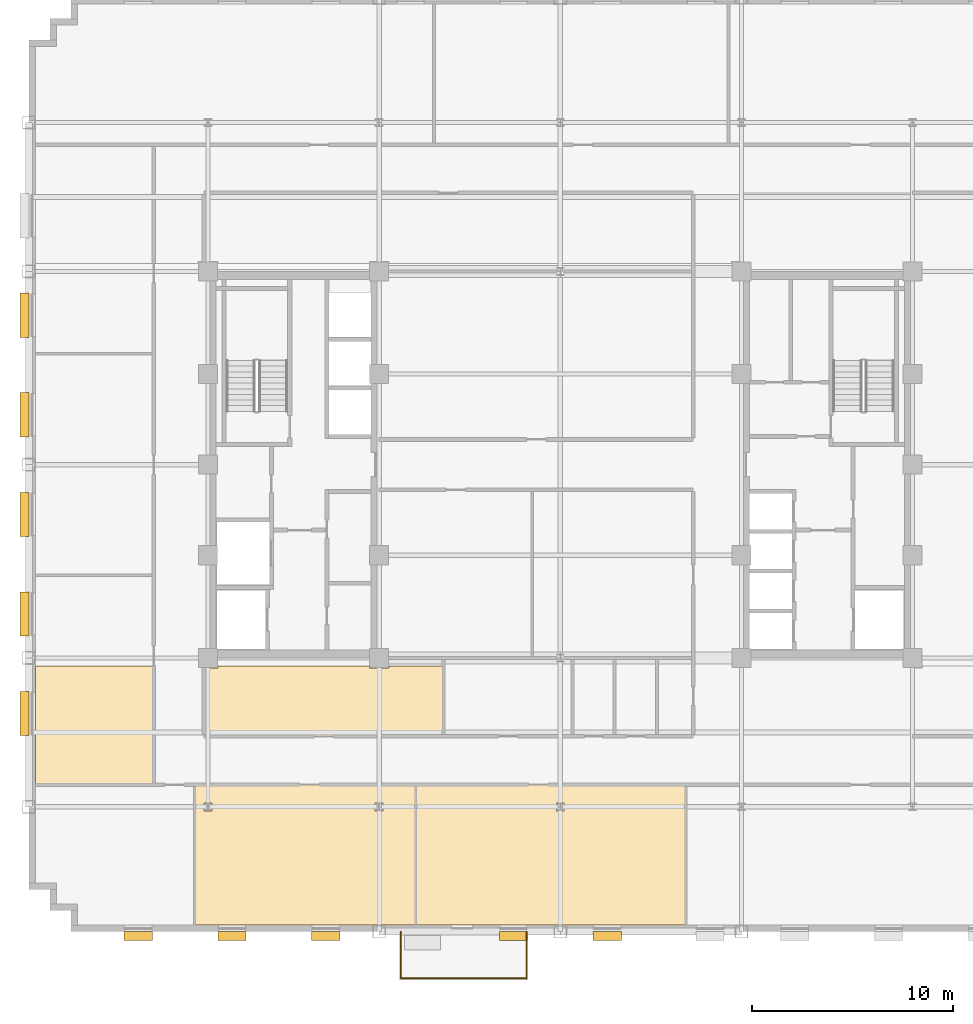
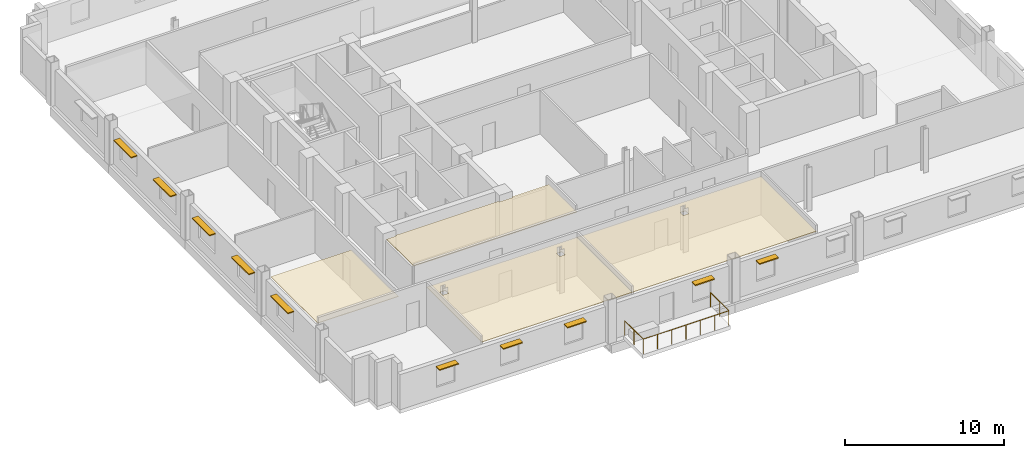
# One storey, part 10 of 13: 10 shading devices, 4 coverings, 1 railing.
"""IFC4 building model written with IfcOpenShell, lengths in metres."""

from ifc_helpers import new_model, si_unit, direction, frame, origin, origin_2d, place, context, subcontext, project, spatial, polyline, rectangle, circle, outline, extrude, source, transform, mapped, material, layer, layer_set, type_object, type_shapes, element, save


model = new_model("IFC4")

# Units and contexts
model_context = context("Model", 3, precision=1e-05, world=origin(), true_north=direction((0.0, 1.0)))
body_context = subcontext(model_context, "Body", "Model", "MODEL_VIEW")
ifc_project = project(units=[si_unit("LENGTHUNIT", "METRE"), si_unit("AREAUNIT", "SQUARE_METRE"), si_unit("VOLUMEUNIT", "CUBIC_METRE"), si_unit("PLANEANGLEUNIT", "RADIAN"), si_unit("MASSUNIT", "GRAM", prefix="KILO")], contexts=[model_context])

# Site, building, storey
site_placement = place(None, origin())
site = spatial("IfcSite", under=ifc_project, at=site_placement, CompositionType="ELEMENT")
building_placement = place(site_placement, origin())
building = spatial("IfcBuilding", under=site, at=building_placement, Name="Nuvemarco Arch Tower", CompositionType="ELEMENT")
storey_placement = place(building_placement, frame((0.0, 0.0, 156.699951171875)))
storey = spatial("IfcBuildingStorey", under=building, at=storey_placement, Name="L41", CompositionType="ELEMENT", Elevation=156.699951171875)

# Coverings
ifc_material_1 = material(Name="Mineral acoustic ceiling tile")
ifc_layer = layer(ifc_material_1, 0.0400390625, Name="COV-ACOUSTIC-CLG")
ifc_layer_set = layer_set([ifc_layer], Name="Mineral acoustic ceiling tile")
covering_type = type_object("IfcCoveringType", Name="COV-ACOUSTIC-CLG", PredefinedType="CEILING", material=ifc_layer_set)
covering_1_placement = place(storey_placement, frame((0.0, 0.0, 2.85009765625)))
element("IfcCovering", 1, at=covering_1_placement, inside=storey, type_object=covering_type, Name="L41 suspended acoustic ceiling 5", PredefinedType="CEILING", context=body_context, shape_type="SweptSolid", body=[
    extrude(outline(polyline([(0.340087890625, -22.8798828125), (0.340087890625, -22.860107421875), (-0.340087890625, -22.860107421875), (-0.340087890625, -22.8798828125), (-7.179931640625, -22.8798828125), (-7.179931640625, -15.89990234375), (6.22998046875, -15.89990234375), (6.22998046875, -22.8798828125), (0.340087890625, -22.8798828125)]), holes=[polyline([(0.195068359375, -17.195068359375), (0.195068359375, -16.804931640625), (-0.195068359375, -16.804931640625), (-0.195068359375, -17.195068359375), (0.195068359375, -17.195068359375)])]), origin(), (0.0, 0.0, 1.0), 0.0400390625),
])
covering_2_placement = place(storey_placement, frame((0.0, 0.0, 2.85009765625)))
element("IfcCovering", 2, at=covering_2_placement, inside=storey, type_object=covering_type, Name="L41 suspended acoustic ceiling 6", PredefinedType="CEILING", context=body_context, shape_type="SweptSolid", body=[
    extrude(outline(polyline([(-7.179931640625, -22.8798828125), (-8.659912109375, -22.8798828125), (-8.659912109375, -22.860107421875), (-9.340087890625, -22.860107421875), (-9.340087890625, -22.8798828125), (-18.14990234375, -22.8798828125), (-18.14990234375, -15.89990234375), (-17.699951171875, -15.89990234375), (-7.179931640625, -15.89990234375), (-7.179931640625, -22.8798828125)]), holes=[polyline([(-17.304931640625, -16.804931640625), (-17.695068359375, -16.804931640625), (-17.695068359375, -17.195068359375), (-17.304931640625, -17.195068359375), (-17.304931640625, -16.804931640625)]), polyline([(-8.804931640625, -17.195068359375), (-8.804931640625, -16.804931640625), (-9.195068359375, -16.804931640625), (-9.195068359375, -17.195068359375), (-8.804931640625, -17.195068359375)])]), origin(), (0.0, 0.0, 1.0), 0.0400390625),
])
covering_3_placement = place(storey_placement, frame((0.0, 0.0, 2.85009765625)))
element("IfcCovering", 3, at=covering_3_placement, inside=storey, type_object=covering_type, Name="L41 suspended acoustic ceiling 7", PredefinedType="CEILING", context=body_context, shape_type="SweptSolid", body=[
    extrude(outline(polyline([(-20.199951171875, -13.5), (-20.199951171875, -15.89990234375), (-26.080078125, -15.89990234375), (-26.080078125, -10.0), (-20.199951171875, -10.0), (-20.199951171875, -13.5)])), origin(), (0.0, 0.0, 1.0), 0.0400390625),
])
covering_4_placement = place(storey_placement, frame((0.0, 0.0, 2.85009765625)))
element("IfcCovering", 4, at=covering_4_placement, inside=storey, type_object=covering_type, Name="L41 suspended acoustic ceiling 9", PredefinedType="CEILING", context=body_context, shape_type="SweptSolid", body=[
    extrude(outline(polyline([(-9.489990234375, -10.090087890625), (-8.510009765625, -10.090087890625), (-8.510009765625, -10.0), (-5.800048828125, -10.0), (-5.800048828125, -13.5), (-17.699951171875, -13.5), (-17.699951171875, -10.090087890625), (-17.010009765625, -10.090087890625), (-17.010009765625, -10.0), (-9.489990234375, -10.0), (-9.489990234375, -10.090087890625)])), origin(), (0.0, 0.0, 1.0), 0.0400390625),
])

# Railing
ifc_material_2 = material(Name="Dark anodised balustrade steel S355", Category="steel")
railing_type = type_object("IfcRailingType", Name="RL-TERR-GUARD", PredefinedType="BALUSTRADE", material=ifc_material_2)
railing_placement = place(storey_placement, frame((-7.919921875, -23.199951171875, 0.0)))
element("IfcRailing", 5, at=railing_placement, inside=storey, type_object=railing_type, Name="L41 spiral terrace perimeter balustrade guard", PredefinedType="BALUSTRADE", context=body_context, shape_type="SweptSolid", body=[
    extrude(circle(Radius=0.02392578125, at=origin_2d()), frame((0.0, 0.0, 1.1259765625), z_axis=(0.0, -1.0, 0.0), x_axis=(1.0, 0.0, 0.0)), (0.0, 0.0, 1.0), 2.320068359375),
    extrude(circle(Radius=0.02392578125, at=origin_2d()), frame((0.0, -2.320068359375, 1.1259765625), z_axis=(1.0, 0.0, 0.0), x_axis=(0.0, 1.0, 0.0)), (0.0, 0.0, 1.0), 6.239990234375),
    extrude(circle(Radius=0.02392578125, at=origin_2d()), frame((6.239990234375, -2.320068359375, 1.1259765625), z_axis=(0.0, 1.0, 0.0), x_axis=(-1.0, 0.0, 0.0)), (0.0, 0.0, 1.0), 2.320068359375),
    extrude(circle(Radius=0.02099609375, at=origin_2d()), origin(), (0.0, 0.0, 1.0), 1.101806640625),
    extrude(circle(Radius=0.02099609375, at=origin_2d()), frame((0.0, -1.16015625, 0.0)), (0.0, 0.0, 1.0), 1.101806640625),
    extrude(circle(Radius=0.02099609375, at=origin_2d()), frame((0.0, -2.320068359375, 0.0)), (0.0, 0.0, 1.0), 1.101806640625),
    extrude(circle(Radius=0.02099609375, at=origin_2d()), frame((1.0400390625, -2.320068359375, 0.0)), (0.0, 0.0, 1.0), 1.101806640625),
    extrude(circle(Radius=0.02099609375, at=origin_2d()), frame((2.080078125, -2.320068359375, 0.0)), (0.0, 0.0, 1.0), 1.101806640625),
    extrude(circle(Radius=0.02099609375, at=origin_2d()), frame((3.1201171875, -2.320068359375, 0.0)), (0.0, 0.0, 1.0), 1.101806640625),
    extrude(circle(Radius=0.02099609375, at=origin_2d()), frame((4.159912109375, -2.320068359375, 0.0)), (0.0, 0.0, 1.0), 1.101806640625),
    extrude(circle(Radius=0.02099609375, at=origin_2d()), frame((5.199951171875, -2.320068359375, 0.0)), (0.0, 0.0, 1.0), 1.101806640625),
    extrude(circle(Radius=0.02099609375, at=origin_2d()), frame((6.239990234375, -2.320068359375, 0.0)), (0.0, 0.0, 1.0), 1.101806640625),
    extrude(circle(Radius=0.02099609375, at=origin_2d()), frame((6.239990234375, -1.16015625, 0.0)), (0.0, 0.0, 1.0), 1.101806640625),
    extrude(circle(Radius=0.02099609375, at=origin_2d()), frame((6.239990234375, 0.0, 0.0)), (0.0, 0.0, 1.0), 1.101806640625),
])

# Shading devices
ifc_material_3 = material(Name="Anodised aluminium 6063-T6", Category="aluminium")
shading_device_type_1 = type_object("IfcShadingDeviceType", Name="SHD-BRISE-SOLEIL", PredefinedType="USERDEFINED", material=ifc_material_3)
shared_shape_1 = source(origin(), body_context, "Body", "SweptSolid", [
    extrude(rectangle(XDim=2.199951171875, YDim=0.449951171875, at=origin_2d()), origin(), (0.0, 0.0, 1.0), 0.080078125),
])
type_shapes(shading_device_type_1, [shared_shape_1])
for number, where, z_axis, x_axis, name in (
    (6, (-26.614990234375, -12.364990234375, 2.364990234375), (0.0, 0.0, 1.0), (0.0, 1.0, 0.0), "L41 horizontal brise-soleil sunshade"),
    (7, (-26.614990234375, -7.4189453125, 2.364990234375), (0.0, 0.0, 1.0), (0.0, 1.0, 0.0), "L41 horizontal brise-soleil sunshade"),
    (8, (-26.614990234375, -2.472900390625, 2.364990234375), (0.0, 0.0, 1.0), (0.0, 1.0, 0.0), "L41 horizontal brise-soleil sunshade"),
    (9, (-26.614990234375, 2.472900390625, 2.364990234375), (0.0, 0.0, 1.0), (0.0, 1.0, 0.0), "L41 horizontal brise-soleil sunshade"),
    (10, (-26.614990234375, 7.4189453125, 2.364990234375), (0.0, 0.0, 1.0), (0.0, 1.0, 0.0), "L41 horizontal brise-soleil sunshade"),
):
    element("IfcShadingDevice", number, at=place(storey_placement, frame(where, z_axis=z_axis, x_axis=x_axis)), inside=storey, type_object=shading_device_type_1, Name=name, ObjectType="SUNSHADE", PredefinedType="USERDEFINED", context=body_context, shape_type="MappedRepresentation", body=[
        mapped(shared_shape_1, transform((0.0, 0.0, 0.0), scale=1.0)),
    ])
shading_device_type_2 = type_object("IfcShadingDeviceType", Name="SHD-BRISE-NARROW", PredefinedType="USERDEFINED", material=ifc_material_3)
shared_shape_2 = source(origin(), body_context, "Body", "SweptSolid", [
    extrude(rectangle(XDim=1.39990234375, YDim=0.449951171875, at=origin_2d()), origin(), (0.0, 0.0, 1.0), 0.080078125),
])
type_shapes(shading_device_type_2, [shared_shape_2])
for number, where, z_axis, x_axis, name in (
    (11, (-20.969970703125, -23.4150390625, 2.364990234375), (0.0, 0.0, 1.0), (1.0, 0.0, 0.0), "L41 horizontal brise-soleil sunshade"),
    (12, (-16.31005859375, -23.4150390625, 2.364990234375), (0.0, 0.0, 1.0), (1.0, 0.0, 0.0), "L41 horizontal brise-soleil sunshade"),
    (13, (-11.64990234375, -23.4150390625, 2.364990234375), (0.0, 0.0, 1.0), (1.0, 0.0, 0.0), "L41 horizontal brise-soleil sunshade"),
    (14, (-2.330078125, -23.4150390625, 2.364990234375), (0.0, 0.0, 1.0), (1.0, 0.0, 0.0), "L41 horizontal brise-soleil sunshade"),
    (15, (2.330078125, -23.4150390625, 2.364990234375), (0.0, 0.0, 1.0), (1.0, 0.0, 0.0), "L41 horizontal brise-soleil sunshade"),
):
    element("IfcShadingDevice", number, at=place(storey_placement, frame(where, z_axis=z_axis, x_axis=x_axis)), inside=storey, type_object=shading_device_type_2, Name=name, ObjectType="SUNSHADE", PredefinedType="USERDEFINED", context=body_context, shape_type="MappedRepresentation", body=[
        mapped(shared_shape_2, transform((0.0, 0.0, 0.0), scale=1.0)),
    ])

save(model, "model.ifc")
